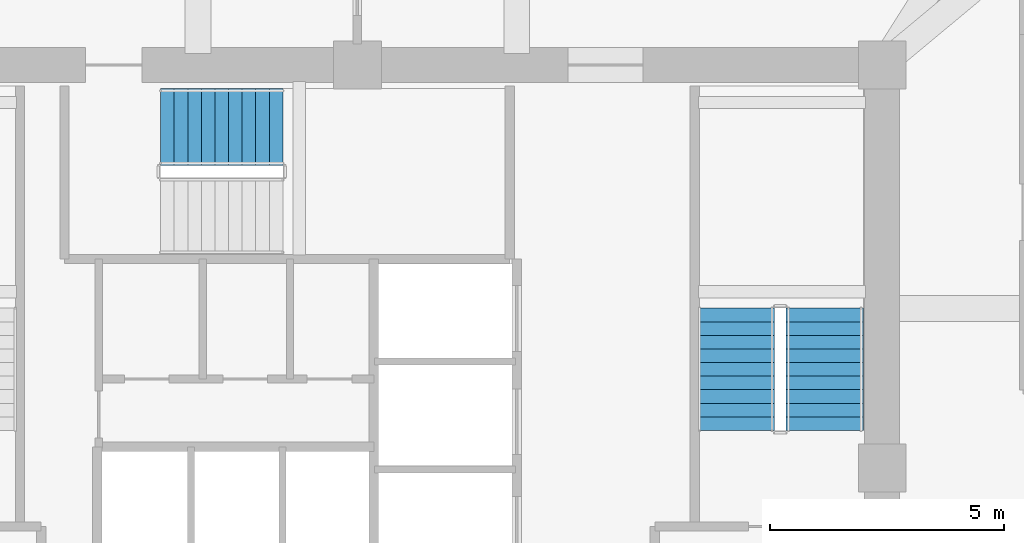
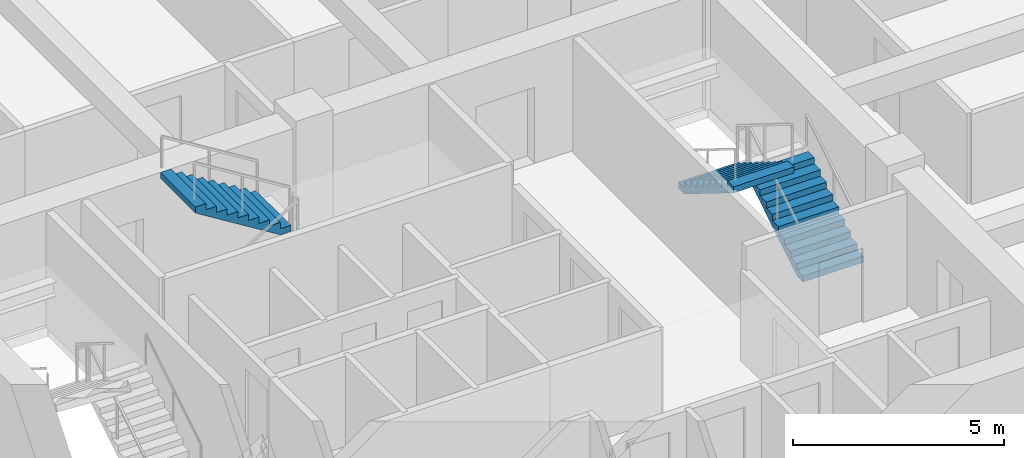
# One storey, part 11 of 13: 3 stair flights, 2 elements without a shape of their own.
"""IFC4 building model written with IfcOpenShell, lengths in metres."""

from ifc_helpers import new_model, si_unit, derived_unit, direction, frame, origin, place, context, subcontext, project, spatial, polyline, outline, extrude, material, type_object, element, aggregate, save


model = new_model("IFC4")

# Units and contexts
model_context = context("Model", 3, precision=1e-05, world=origin(), true_north=direction((0.0, 1.0)))
body_context = subcontext(model_context, "Body", "Model", "MODEL_VIEW")
ifc_project = project(units=[si_unit("LENGTHUNIT", "METRE"), si_unit("AREAUNIT", "SQUARE_METRE"), si_unit("VOLUMEUNIT", "CUBIC_METRE"), si_unit("PLANEANGLEUNIT", "RADIAN"), si_unit("MASSUNIT", "GRAM", prefix="KILO"), derived_unit("THERMALTRANSMITTANCEUNIT", [(si_unit("POWERUNIT", "WATT"), 1), (si_unit("LENGTHUNIT", "METRE"), -2), (si_unit("THERMODYNAMICTEMPERATUREUNIT", "KELVIN"), -1)])], contexts=[model_context])

# Site, building, storey
site_placement = place(None, origin())
site = spatial("IfcSite", under=ifc_project, at=site_placement, CompositionType="ELEMENT")
building_placement = place(site_placement, origin())
building = spatial("IfcBuilding", under=site, at=building_placement, Name="Koralith Skygarden Medical Center", CompositionType="ELEMENT")
storey_placement = place(building_placement, frame((0.0, 0.0, 88.3798828125)))
storey = spatial("IfcBuildingStorey", under=building, at=storey_placement, Name="L22", CompositionType="ELEMENT", Elevation=88.3798828125)

# Stair, stair flights
ifc_material = material(Name="Concrete C45/55", Category="concrete")
stair_type = type_object("IfcStairType", Name="Core Exit Dogleg Concrete Stair", PredefinedType="HALF_TURN_STAIR", material=ifc_material)
stair_1_placement = place(storey_placement, origin())
stair_1 = element("IfcStair", 1, at=stair_1_placement, inside=storey, type_object=stair_type, Name="L22 Smokeproof Exit Stair ST2", PredefinedType="HALF_TURN_STAIR")
stair_flight_type = type_object("IfcStairFlightType", Name="Core Exit Concrete Stair Flight 1650", PredefinedType="STRAIGHT", material=ifc_material)
stair_flight_1_placement = place(storey_placement, frame((46.97509765625, 26.699951171875, 0.0), z_axis=(0.0, 0.0, 1.0), x_axis=(0.0, 1.0, 0.0)))
stair_flight_1 = element("IfcStairFlight", 2, at=stair_flight_1_placement, type_object=stair_flight_type, Name="ST2 flight 1", NumberOfRisers=10, NumberOfTreads=9, PredefinedType="STRAIGHT", RiserHeight=0.18, TreadLength=0.29, context=body_context, shape_type="SweptSolid", body=[
    extrude(outline(polyline([(0.0, 0.0), (0.0, 0.179931640625), (0.2900390625, 0.179931640625), (0.2900390625, 0.360107421875), (0.580078125, 0.360107421875), (0.580078125, 0.5400390625), (0.8701171875, 0.5400390625), (0.8701171875, 0.719970703125), (1.159912109375, 0.719970703125), (1.159912109375, 0.89990234375), (1.449951171875, 0.89990234375), (1.449951171875, 1.080078125), (1.739990234375, 1.080078125), (1.739990234375, 1.260009765625), (2.030029296875, 1.260009765625), (2.030029296875, 1.43994140625), (2.320068359375, 1.43994140625), (2.320068359375, 1.6201171875), (2.610107421875, 1.6201171875), (2.610107421875, 1.800048828125), (2.610107421875, 1.443603515625), (0.2841796875, 0.0), (0.0, 0.0)])), frame((0.0, 0.824951171875, 0.0), z_axis=(0.0, -1.0, 0.0), x_axis=(1.0, 0.0, 0.0)), (0.0, 0.0, 1.0), 1.64990234375),
])
stair_flight_2_placement = place(storey_placement, frame((45.074951171875, 29.31005859375, 1.800048828125), z_axis=(0.0, 0.0, 1.0), x_axis=(0.0, -1.0, 0.0)))
stair_flight_2 = element("IfcStairFlight", 3, at=stair_flight_2_placement, type_object=stair_flight_type, Name="ST2 flight 2", NumberOfRisers=10, NumberOfTreads=9, PredefinedType="STRAIGHT", RiserHeight=0.18, TreadLength=0.29, context=body_context, shape_type="SweptSolid", body=[
    extrude(outline(polyline([(0.0, 0.0), (0.0, 0.179931640625), (0.2900390625, 0.179931640625), (0.2900390625, 0.360107421875), (0.580078125, 0.360107421875), (0.580078125, 0.5400390625), (0.8701171875, 0.5400390625), (0.8701171875, 0.719970703125), (1.159912109375, 0.719970703125), (1.159912109375, 0.89990234375), (1.449951171875, 0.89990234375), (1.449951171875, 1.080078125), (1.739990234375, 1.080078125), (1.739990234375, 1.260009765625), (2.030029296875, 1.260009765625), (2.030029296875, 1.43994140625), (2.320068359375, 1.43994140625), (2.320068359375, 1.6201171875), (2.610107421875, 1.6201171875), (2.610107421875, 1.800048828125), (2.610107421875, 1.443603515625), (0.2841796875, 0.0), (0.0, 0.0)])), frame((0.0, 0.824951171875, 0.0), z_axis=(0.0, -1.0, 0.0), x_axis=(1.0, 0.0, 0.0)), (0.0, 0.0, 1.0), 1.64990234375),
])
aggregate(stair_1, [stair_flight_1, stair_flight_2])

# Stair, stair flight
stair_2_placement = place(storey_placement, origin())
stair_2 = element("IfcStair", 4, at=stair_2_placement, inside=storey, type_object=stair_type, Name="L22 Smokeproof Exit Stair ST3", PredefinedType="HALF_TURN_STAIR")
stair_flight_3_placement = place(storey_placement, frame((35.409912109375, 33.175048828125, 1.800048828125), z_axis=(0.0, 0.0, 1.0), x_axis=(-1.0, 0.0, 0.0)))
stair_flight_3 = element("IfcStairFlight", 5, at=stair_flight_3_placement, type_object=stair_flight_type, Name="ST3 flight 2", NumberOfRisers=10, NumberOfTreads=9, PredefinedType="STRAIGHT", RiserHeight=0.18, TreadLength=0.29, context=body_context, shape_type="SweptSolid", body=[
    extrude(outline(polyline([(0.0, 0.0), (0.0, 0.179931640625), (0.2900390625, 0.179931640625), (0.2900390625, 0.360107421875), (0.580078125, 0.360107421875), (0.580078125, 0.5400390625), (0.8701171875, 0.5400390625), (0.8701171875, 0.719970703125), (1.159912109375, 0.719970703125), (1.159912109375, 0.89990234375), (1.449951171875, 0.89990234375), (1.449951171875, 1.080078125), (1.739990234375, 1.080078125), (1.739990234375, 1.260009765625), (2.030029296875, 1.260009765625), (2.030029296875, 1.43994140625), (2.320068359375, 1.43994140625), (2.320068359375, 1.6201171875), (2.610107421875, 1.6201171875), (2.610107421875, 1.800048828125), (2.610107421875, 1.443603515625), (0.2841796875, 0.0), (0.0, 0.0)])), frame((0.0, 0.824951171875, 0.0), z_axis=(0.0, -1.0, 0.0), x_axis=(1.0, 0.0, 0.0)), (0.0, 0.0, 1.0), 1.64990234375),
])
aggregate(stair_2, [stair_flight_3])

save(model, "model.ifc")
